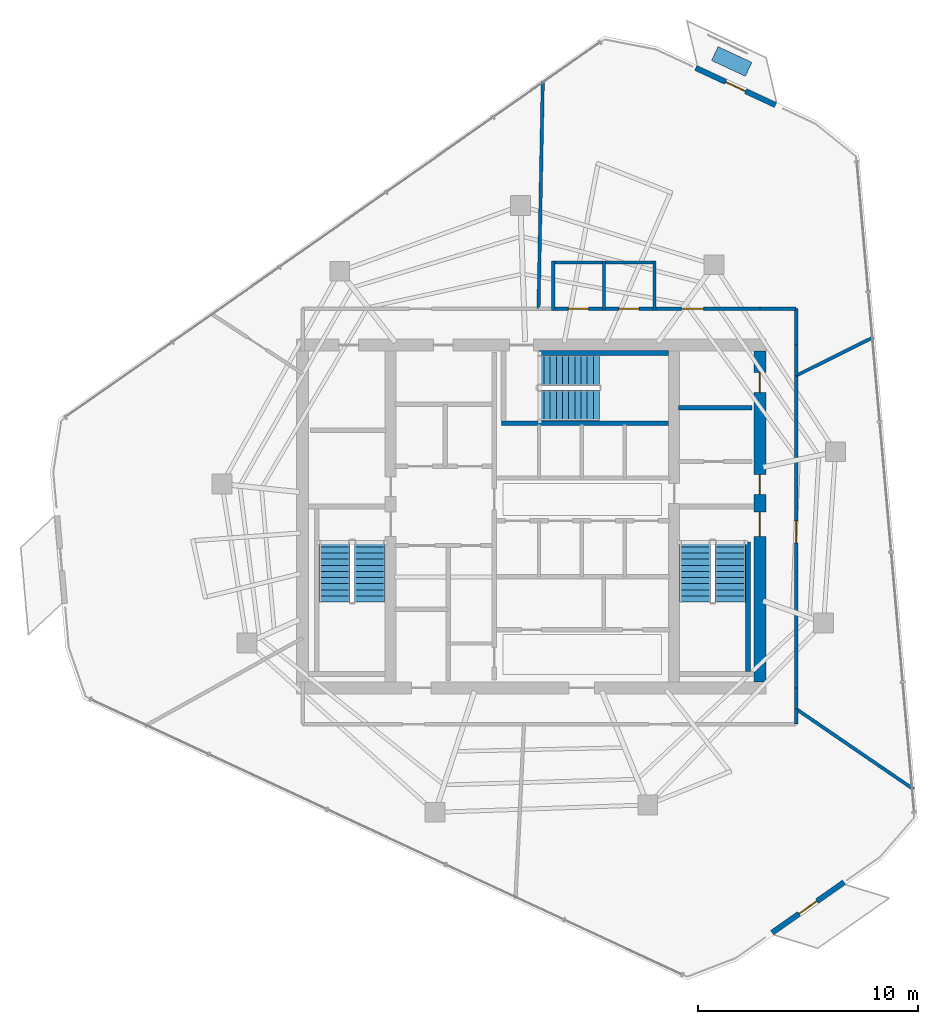
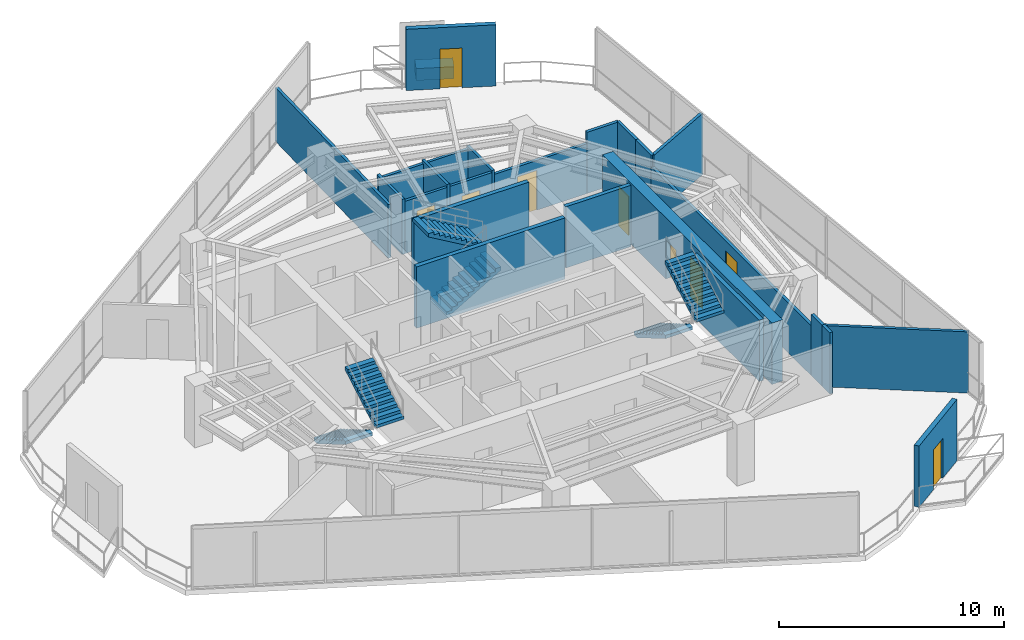
# One storey, part 18 of 20: 24 walls, 9 doors, 6 stair flights, 1 discrete accessory, 9 openings, 3 elements without a shape of their own.
"""IFC4 building model written with IfcOpenShell, lengths in metres."""

from ifc_helpers import new_model, si_unit, direction, frame, frame_2d, origin, origin_2d, place, context, subcontext, project, spatial, polyline, rectangle, outline, extrude, material, layer, layer_set, type_object, element, fill, aggregate, save


model = new_model("IFC4")

# Units and contexts
model_context = context("Model", 3, precision=1e-05, world=origin(), true_north=direction((0.0, 1.0)))
body_context = subcontext(model_context, "Body", "Model", "MODEL_VIEW")
ifc_project = project(units=[si_unit("LENGTHUNIT", "METRE"), si_unit("AREAUNIT", "SQUARE_METRE"), si_unit("VOLUMEUNIT", "CUBIC_METRE"), si_unit("PLANEANGLEUNIT", "RADIAN"), si_unit("MASSUNIT", "GRAM", prefix="KILO")], contexts=[model_context])

# Site, building, storey
site_placement = place(None, origin())
site = spatial("IfcSite", under=ifc_project, at=site_placement, CompositionType="ELEMENT")
building_placement = place(site_placement, origin())
building = spatial("IfcBuilding", under=site, at=building_placement, Name="Qarnah Convention Tower", CompositionType="ELEMENT")
storey_placement = place(building_placement, frame((0.0, 0.0, 198.60009765625)))
storey = spatial("IfcBuildingStorey", under=building, at=storey_placement, Name="L53", CompositionType="ELEMENT", Elevation=198.60009765625)

# Wall, openings, doors
ifc_material_1 = material(Name="Concrete C60/75", Category="concrete")
ifc_layer_1 = layer(ifc_material_1, 0.550048828125)
ifc_layer_set_1 = layer_set([ifc_layer_1], Name="Concrete C60/75")
wall_type_1 = type_object("IfcWallType", Name="WL-CORE-550", PredefinedType="SHEAR", material=ifc_layer_set_1)
wall_1_placement = place(storey_placement, frame((47.60009765625, 18.875, 0.0), z_axis=(0.0, 0.0, 1.0), x_axis=(0.0, 1.0, 0.0)))
wall_1 = element("IfcWall", 1, at=wall_1_placement, inside=storey, type_object=wall_type_1, Name="L53 core east shear wall", PredefinedType="SHEAR", context=body_context, shape_type="SweptSolid", body=[
    extrude(rectangle(XDim=15.050048828125, YDim=0.550048828125, at=frame_2d((7.52490234375, 0.0))), origin(), (0.0, 0.0, 1.0), 3.31982421875),
])
opening_1_placement = place(wall_1_placement, frame((6.625, 0.0, 0.0)))
opening_1 = element("IfcOpeningElement", 2, at=opening_1_placement, cuts=wall_1, Name="Opening D-5302", PredefinedType="OPENING", context=body_context, shape_type="SweptSolid", body=[
    extrude(rectangle(XDim=1.10009765625, YDim=2.14990234375, at=frame_2d((0.550048828125, 1.074951171875))), frame((0.0, 0.284912109375, 0.0), z_axis=(0.0, -1.0, 0.0), x_axis=(1.0, 0.0, 0.0)), (0.0, 0.0, 1.0), 0.570068359375),
])
opening_2_placement = place(wall_1_placement, frame((8.52490234375, 0.0, 0.0)))
opening_2 = element("IfcOpeningElement", 3, at=opening_2_placement, cuts=wall_1, Name="Opening D-5306", PredefinedType="OPENING", context=body_context, shape_type="SweptSolid", body=[
    extrude(rectangle(XDim=0.89990234375, YDim=2.10009765625, at=frame_2d((0.449951171875, 1.050048828125))), frame((0.0, 0.284912109375, 0.0), z_axis=(0.0, -1.0, 0.0), x_axis=(1.0, 0.0, 0.0)), (0.0, 0.0, 1.0), 0.570068359375),
])
opening_3_placement = place(wall_1_placement, frame((13.175048828125, 0.0, 0.0)))
opening_3 = element("IfcOpeningElement", 4, at=opening_3_placement, cuts=wall_1, Name="Opening D-5312", PredefinedType="OPENING", context=body_context, shape_type="SweptSolid", body=[
    extrude(rectangle(XDim=0.89990234375, YDim=2.10009765625, at=frame_2d((0.449951171875, 1.050048828125))), frame((0.0, 0.284912109375, 0.0), z_axis=(0.0, -1.0, 0.0), x_axis=(1.0, 0.0, 0.0)), (0.0, 0.0, 1.0), 0.570068359375),
])
ifc_material_2 = material(Name="Structural steel S355JR", Category="steel")
door_type_1 = type_object("IfcDoorType", Name="DT-RISER-900", OperationType="NOTDEFINED", PredefinedType="DOOR", material=ifc_material_2)
door_1_placement = place(opening_2_placement, origin())
door_1 = element("IfcDoor", 5, at=door_1_placement, inside=storey, type_object=door_type_1, Name="Door D-5306", OperationType="SINGLE_SWING_LEFT", OverallHeight=2.10009765625, OverallWidth=0.89990234375, PredefinedType="DOOR", context=body_context, shape_type="SweptSolid", body=[
    extrude(rectangle(XDim=0.89990234375, YDim=2.10009765625, at=frame_2d((0.449951171875, 1.050048828125))), frame((0.0, 0.02490234375, 0.0), z_axis=(0.0, -1.0, 0.0), x_axis=(1.0, 0.0, 0.0)), (0.0, 0.0, 1.0), 0.050048828125),
])
fill(opening_2, door_1)
door_2_placement = place(opening_3_placement, origin())
door_2 = element("IfcDoor", 6, at=door_2_placement, inside=storey, type_object=door_type_1, Name="Door D-5312", OperationType="SINGLE_SWING_LEFT", OverallHeight=2.10009765625, OverallWidth=0.89990234375, PredefinedType="DOOR", context=body_context, shape_type="SweptSolid", body=[
    extrude(rectangle(XDim=0.89990234375, YDim=2.10009765625, at=frame_2d((0.449951171875, 1.050048828125))), frame((0.0, 0.02490234375, 0.0), z_axis=(0.0, -1.0, 0.0), x_axis=(1.0, 0.0, 0.0)), (0.0, 0.0, 1.0), 0.050048828125),
])
fill(opening_3, door_2)
door_type_2 = type_object("IfcDoorType", Name="DT-STAIR-1100", OperationType="NOTDEFINED", PredefinedType="DOOR", material=ifc_material_2)
door_3_placement = place(opening_1_placement, origin())
door_3 = element("IfcDoor", 7, at=door_3_placement, inside=storey, type_object=door_type_2, Name="Door D-5302", OperationType="SINGLE_SWING_LEFT", OverallHeight=2.14990234375, OverallWidth=1.10009765625, PredefinedType="DOOR", context=body_context, shape_type="SweptSolid", body=[
    extrude(rectangle(XDim=1.10009765625, YDim=2.14990234375, at=frame_2d((0.550048828125, 1.074951171875))), frame((0.0, 0.02490234375, 0.0), z_axis=(0.0, -1.0, 0.0), x_axis=(1.0, 0.0, 0.0)), (0.0, 0.0, 1.0), 0.050048828125),
])
fill(opening_1, door_3)

# Walls
ifc_material_3 = material(Name="Concrete C45/55", Category="concrete")
ifc_layer_2 = layer(ifc_material_3, 0.199951171875)
ifc_layer_set_2 = layer_set([ifc_layer_2], Name="Concrete C45/55")
wall_type_2 = type_object("IfcWallType", Name="WL-CORE-PART-200", PredefinedType="SOLIDWALL", material=ifc_layer_set_2)
wall_2_placement = place(storey_placement, frame((43.89990234375, 31.35009765625, 0.0), z_axis=(0.0, 0.0, 1.0), x_axis=(1.0, 0.0, 0.0)))
element("IfcWall", 8, at=wall_2_placement, inside=storey, type_object=wall_type_2, Name="L53 interior wall IW-L53-WTRN", PredefinedType="SOLIDWALL", context=body_context, shape_type="SweptSolid", body=[
    extrude(rectangle(XDim=3.35009765625, YDim=0.199951171875, at=frame_2d((1.675048828125, 0.0))), origin(), (0.0, 0.0, 1.0), 3.31982421875),
])
ifc_layer_3 = layer(ifc_material_1, 0.219970703125)
ifc_layer_set_3 = layer_set([ifc_layer_3], Name="Concrete C60/75")
wall_type_3 = type_object("IfcWallType", Name="WL-CORE-STAIR-220", PredefinedType="SHEAR", material=ifc_layer_set_3)
wall_3_placement = place(storey_placement, frame((47.06005859375, 19.35009765625, 0.0), z_axis=(0.0, 0.0, 1.0), x_axis=(0.0, 1.0, 0.0)))
element("IfcWall", 9, at=wall_3_placement, inside=storey, type_object=wall_type_3, Name="L53 stair shaft shear wall SW-L53-ST2E", PredefinedType="SHEAR", context=body_context, shape_type="SweptSolid", body=[
    extrude(rectangle(XDim=5.89990234375, YDim=0.219970703125, at=frame_2d((2.949951171875, 0.0))), origin(), (0.0, 0.0, 1.0), 3.31982421875),
])
wall_4_placement = place(storey_placement, frame((35.840087890625, 30.639892578125, 0.0), z_axis=(0.0, 0.0, 1.0), x_axis=(1.0, 0.0, 0.0)))
element("IfcWall", 10, at=wall_4_placement, inside=storey, type_object=wall_type_3, Name="L53 stair shaft shear wall SW-L53-ST3S", PredefinedType="SHEAR", context=body_context, shape_type="SweptSolid", body=[
    extrude(rectangle(XDim=7.60986328125, YDim=0.219970703125, at=frame_2d((3.804931640625, 0.0))), origin(), (0.0, 0.0, 1.0), 3.31982421875),
])
wall_5_placement = place(storey_placement, frame((37.550048828125, 33.840087890625, 0.0), z_axis=(0.0, 0.0, 1.0), x_axis=(1.0, 0.0, 0.0)))
element("IfcWall", 11, at=wall_5_placement, inside=storey, type_object=wall_type_3, Name="L53 stair shaft shear wall SW-L53-ST3N", PredefinedType="SHEAR", context=body_context, shape_type="SweptSolid", body=[
    extrude(rectangle(XDim=5.89990234375, YDim=0.219970703125, at=frame_2d((2.949951171875, 0.0))), origin(), (0.0, 0.0, 1.0), 3.31982421875),
])

# Wall, opening, door
ifc_material_4 = material(Name="Precast concrete C45/55", Category="concrete")
ifc_layer_4 = layer(ifc_material_4, 0.239990234375)
ifc_layer_set_4 = layer_set([ifc_layer_4], Name="Precast concrete C45/55")
wall_type_4 = type_object("IfcWallType", Name="WL-EXT-BAL-240", PredefinedType="SOLIDWALL", material=ifc_layer_set_4)
wall_6_placement = place(storey_placement, frame((44.68408203125, 46.800048828125, 0.0), z_axis=(0.0, 0.0, 1.0), x_axis=(0.906578839743, -0.422036499999, 0.0)))
wall_6 = element("IfcWall", 12, at=wall_6_placement, inside=storey, type_object=wall_type_4, Name="L53 loggia threshold wall BAL-L53-C1", PredefinedType="SOLIDWALL", context=body_context, shape_type="SweptSolid", body=[
    extrude(rectangle(XDim=3.99951171875, YDim=0.239990234375, at=frame_2d((1.999755859375, 0.0))), origin(), (0.0, 0.0, 1.0), 3.31982421875),
])
opening_4_placement = place(wall_6_placement, frame((1.5, 0.0, 0.0)))
opening_4 = element("IfcOpeningElement", 13, at=opening_4_placement, cuts=wall_6, Name="Opening BD-5301", PredefinedType="OPENING", context=body_context, shape_type="SweptSolid", body=[
    extrude(rectangle(XDim=1.0, YDim=2.14990234375, at=frame_2d((0.5, 1.074951171875))), frame((0.0, 0.1298828125, 0.0), z_axis=(0.0, -1.0, 0.0), x_axis=(1.0, 0.0, 0.0)), (0.0, 0.0, 1.0), 0.260009765625),
])
ifc_material_5 = material(Name="Black anodised aluminium", Category="aluminium")
door_type_3 = type_object("IfcDoorType", Name="DT-BAL-1000", OperationType="NOTDEFINED", PredefinedType="DOOR", material=ifc_material_5)
door_4_placement = place(opening_4_placement, origin())
door_4 = element("IfcDoor", 14, at=door_4_placement, inside=storey, type_object=door_type_3, Name="L53 balcony terrace door BAL-L53-C1", OperationType="SINGLE_SWING_RIGHT", OverallHeight=2.14990234375, OverallWidth=1.0, PredefinedType="DOOR", context=body_context, shape_type="SweptSolid", body=[
    extrude(rectangle(XDim=1.0, YDim=2.14990234375, at=frame_2d((0.5, 1.074951171875))), frame((0.0, 0.02490234375, 0.0), z_axis=(0.0, -1.0, 0.0), x_axis=(1.0, 0.0, 0.0)), (0.0, 0.0, 1.0), 0.050048828125),
])
fill(opening_4, door_4)

wall_7_placement = place(storey_placement, frame((51.427978515625, 9.76611328125, 0.0), z_axis=(0.0, 0.0, 1.0), x_axis=(-0.818681027689, -0.574248530605, 0.0)))
wall_7 = element("IfcWall", 15, at=wall_7_placement, inside=storey, type_object=wall_type_4, Name="L53 loggia threshold wall BAL-L53-C3", PredefinedType="SOLIDWALL", context=body_context, shape_type="SweptSolid", body=[
    extrude(rectangle(XDim=4.000244140625, YDim=0.239990234375, at=frame_2d((2.0, 0.0))), origin(), (0.0, 0.0, 1.0), 3.31982421875),
])
opening_5_placement = place(wall_7_placement, frame((1.5, 0.0, 0.0)))
opening_5 = element("IfcOpeningElement", 16, at=opening_5_placement, cuts=wall_7, Name="Opening BD-5303", PredefinedType="OPENING", context=body_context, shape_type="SweptSolid", body=[
    extrude(rectangle(XDim=1.0, YDim=2.14990234375, at=frame_2d((0.5, 1.074951171875))), frame((0.0, 0.1298828125, 0.0), z_axis=(0.0, -1.0, 0.0), x_axis=(1.0, 0.0, 0.0)), (0.0, 0.0, 1.0), 0.260009765625),
])
door_5_placement = place(opening_5_placement, origin())
door_5 = element("IfcDoor", 17, at=door_5_placement, inside=storey, type_object=door_type_3, Name="L53 balcony terrace door BAL-L53-C3", OperationType="SINGLE_SWING_RIGHT", OverallHeight=2.14990234375, OverallWidth=1.0, PredefinedType="DOOR", context=body_context, shape_type="SweptSolid", body=[
    extrude(rectangle(XDim=1.0, YDim=2.14990234375, at=frame_2d((0.5, 1.074951171875))), frame((0.0, 0.02490234375, 0.0), z_axis=(0.0, -1.0, 0.0), x_axis=(1.0, 0.0, 0.0)), (0.0, 0.0, 1.0), 0.050048828125),
])
fill(opening_5, door_5)

# Wall
ifc_material_6 = material(Name="Gypsum partition board")
ifc_layer_5 = layer(ifc_material_6, 0.14990234375)
ifc_layer_set_5 = layer_set([ifc_layer_5], Name="Gypsum partition board")
wall_type_5 = type_object("IfcWallType", Name="WL-SUITE-150", PredefinedType="PARTITIONING", material=ifc_layer_set_5)
wall_8_placement = place(storey_placement, frame((37.72412109375, 46.215087890625, 0.0), z_axis=(0.0, 0.0, 1.0), x_axis=(-0.018722427332, -0.999824719996, 0.0)))
element("IfcWall", 18, at=wall_8_placement, inside=storey, type_object=wall_type_5, Name="L53 interior wall IW-L53-R-08", PredefinedType="PARTITIONING", context=body_context, shape_type="SweptSolid", body=[
    extrude(rectangle(XDim=10.36669921875, YDim=0.14990234375, at=frame_2d((5.183349609375, 0.0))), origin(), (0.0, 0.0, 1.0), 2.90478515625),
])

# Wall, opening, door
wall_9_placement = place(storey_placement, frame((42.8701171875, 35.85009765625, 0.0), z_axis=(0.0, 0.0, 1.0), x_axis=(1.0, 0.0, 0.0)))
wall_9 = element("IfcWall", 19, at=wall_9_placement, inside=storey, type_object=wall_type_5, Name="L53 interior wall IW-L53-R-10", PredefinedType="PARTITIONING", context=body_context, shape_type="SweptSolid", body=[
    extrude(rectangle(XDim=4.72998046875, YDim=0.14990234375, at=frame_2d((2.364990234375, 0.0))), origin(), (0.0, 0.0, 1.0), 2.697021484375),
])
opening_6_placement = place(wall_9_placement, frame((1.1689453125, 0.0, 0.0)))
opening_6 = element("IfcOpeningElement", 20, at=opening_6_placement, cuts=wall_9, Name="Opening D-5320", PredefinedType="OPENING", context=body_context, shape_type="SweptSolid", body=[
    extrude(rectangle(XDim=1.0, YDim=2.14990234375, at=frame_2d((0.5, 1.074951171875))), frame((0.0, 0.0849609375, 0.0), z_axis=(0.0, -1.0, 0.0), x_axis=(1.0, 0.0, 0.0)), (0.0, 0.0, 1.0), 0.169921875),
])
ifc_material_7 = material(Name="Oak timber veneer", Category="wood")
door_type_4 = type_object("IfcDoorType", Name="DT-OFFICE-1000", OperationType="NOTDEFINED", PredefinedType="DOOR", material=ifc_material_7)
door_6_placement = place(opening_6_placement, origin())
door_6 = element("IfcDoor", 21, at=door_6_placement, inside=storey, type_object=door_type_4, Name="Door D-5320", OperationType="SINGLE_SWING_LEFT", OverallHeight=2.14990234375, OverallWidth=1.0, PredefinedType="DOOR", context=body_context, shape_type="SweptSolid", body=[
    extrude(rectangle(XDim=1.0, YDim=2.14990234375, at=frame_2d((0.5, 1.074951171875))), frame((0.0, 0.02490234375, 0.0), z_axis=(0.0, -1.0, 0.0), x_axis=(1.0, 0.0, 0.0)), (0.0, 0.0, 1.0), 0.050048828125),
])
fill(opening_6, door_6)

# Walls
wall_10_placement = place(storey_placement, frame((47.60009765625, 35.85009765625, 0.0), z_axis=(0.0, 0.0, 1.0), x_axis=(1.0, 0.0, 0.0)))
element("IfcWall", 22, at=wall_10_placement, inside=storey, type_object=wall_type_5, Name="L53 interior wall IW-L53-R-11", PredefinedType="PARTITIONING", context=body_context, shape_type="SweptSolid", body=[
    extrude(rectangle(XDim=1.64990234375, YDim=0.14990234375, at=frame_2d((0.824951171875, 0.0))), origin(), (0.0, 0.0, 1.0), 3.31982421875),
])
wall_11_placement = place(storey_placement, frame((49.25, 35.85009765625, 0.0), z_axis=(0.0, 0.0, 1.0), x_axis=(0.0, -1.0, 0.0)))
element("IfcWall", 23, at=wall_11_placement, inside=storey, type_object=wall_type_5, Name="L53 interior wall IW-L53-R-12", PredefinedType="PARTITIONING", context=body_context, shape_type="SweptSolid", body=[
    extrude(rectangle(XDim=1.650146484375, YDim=0.14990234375, at=frame_2d((0.8251953125, 0.0))), origin(), (0.0, 0.0, 1.0), 3.31982421875),
])
wall_12_placement = place(storey_placement, frame((49.25, 34.199951171875, 0.0), z_axis=(0.0, 0.0, 1.0), x_axis=(0.0, -1.0, 0.0)))
element("IfcWall", 24, at=wall_12_placement, inside=storey, type_object=wall_type_5, Name="L53 interior wall IW-L53-R-13", PredefinedType="PARTITIONING", context=body_context, shape_type="SweptSolid", body=[
    extrude(rectangle(XDim=1.39306640625, YDim=0.14990234375, at=frame_2d((0.696533203125, 0.0))), origin(), (0.0, 0.0, 1.0), 3.31982421875),
])
wall_13_placement = place(storey_placement, frame((49.25, 32.806884765625, 0.0), z_axis=(0.0, 0.0, 1.0), x_axis=(0.895681057635, 0.44469702382, 0.0)))
element("IfcWall", 25, at=wall_13_placement, inside=storey, type_object=wall_type_5, Name="L53 interior wall IW-L53-R-14", PredefinedType="PARTITIONING", context=body_context, shape_type="SweptSolid", body=[
    extrude(rectangle(XDim=3.922119140625, YDim=0.14990234375, at=frame_2d((1.9609375, 0.0))), origin(), (0.0, 0.0, 1.0), 3.31982421875),
])
wall_14_placement = place(storey_placement, frame((54.589111328125, 13.991943359375, 0.0), z_axis=(0.0, 0.0, 1.0), x_axis=(-0.82530726125, 0.564683915592, 0.0)))
element("IfcWall", 26, at=wall_14_placement, inside=storey, type_object=wall_type_5, Name="L53 interior wall IW-L53-R-22", PredefinedType="PARTITIONING", context=body_context, shape_type="SweptSolid", body=[
    extrude(rectangle(XDim=6.46923828125, YDim=0.14990234375, at=frame_2d((3.234619140625, 0.0))), origin(), (0.0, 0.0, 1.0), 3.31982421875),
])
wall_15_placement = place(storey_placement, frame((49.25, 17.64501953125, 0.0), z_axis=(0.0, 0.0, 1.0), x_axis=(0.0, -1.0, 0.0)))
element("IfcWall", 27, at=wall_15_placement, inside=storey, type_object=wall_type_5, Name="L53 interior wall IW-L53-R-23", PredefinedType="PARTITIONING", context=body_context, shape_type="SweptSolid", body=[
    extrude(rectangle(XDim=0.695068359375, YDim=0.14990234375, at=frame_2d((0.34765625, 0.0))), origin(), (0.0, 0.0, 1.0), 3.31982421875),
])

# Wall, opening, door
wall_16_placement = place(storey_placement, frame((49.25, 32.806884765625, 0.0), z_axis=(0.0, 0.0, 1.0), x_axis=(0.0, -1.0, 0.0)))
wall_16 = element("IfcWall", 28, at=wall_16_placement, inside=storey, type_object=wall_type_5, Name="L53 interior wall IW-L53-R-25", PredefinedType="PARTITIONING", context=body_context, shape_type="SweptSolid", body=[
    extrude(rectangle(XDim=14.206787109375, YDim=0.14990234375, at=frame_2d((7.103515625, 0.0))), origin(), (0.0, 0.0, 1.0), 2.697021484375),
])
opening_7_placement = place(wall_16_placement, frame((6.60400390625, 0.0, 0.0)))
opening_7 = element("IfcOpeningElement", 29, at=opening_7_placement, cuts=wall_16, Name="Opening D-5325", PredefinedType="OPENING", context=body_context, shape_type="SweptSolid", body=[
    extrude(rectangle(XDim=1.0, YDim=2.14990234375, at=frame_2d((0.5, 1.074951171875))), frame((0.0, 0.0849609375, 0.0), z_axis=(0.0, -1.0, 0.0), x_axis=(1.0, 0.0, 0.0)), (0.0, 0.0, 1.0), 0.169921875),
])
door_7_placement = place(opening_7_placement, origin())
door_7 = element("IfcDoor", 30, at=door_7_placement, inside=storey, type_object=door_type_4, Name="Door D-5325", OperationType="SINGLE_SWING_RIGHT", OverallHeight=2.14990234375, OverallWidth=1.0, PredefinedType="DOOR", context=body_context, shape_type="SweptSolid", body=[
    extrude(rectangle(XDim=1.0, YDim=2.14990234375, at=frame_2d((0.5, 1.074951171875))), frame((0.0, 0.02490234375, 0.0), z_axis=(0.0, -1.0, 0.0), x_axis=(1.0, 0.0, 0.0)), (0.0, 0.0, 1.0), 0.050048828125),
])
fill(opening_7, door_7)

# Wall
wall_17_placement = place(storey_placement, frame((49.25, 18.60009765625, 0.0), z_axis=(0.0, 0.0, 1.0), x_axis=(0.0, -1.0, 0.0)))
element("IfcWall", 31, at=wall_17_placement, inside=storey, type_object=wall_type_5, Name="L53 interior wall IW-L53-R-26", PredefinedType="PARTITIONING", context=body_context, shape_type="SweptSolid", body=[
    extrude(rectangle(XDim=0.955078125, YDim=0.14990234375, at=frame_2d((0.4775390625, 0.0))), origin(), (0.0, 0.0, 1.0), 3.31982421875),
])

# Wall, opening, door
ifc_layer_6 = layer(ifc_material_6, 0.139892578125)
ifc_layer_set_6 = layer_set([ifc_layer_6], Name="Gypsum partition board")
wall_type_6 = type_object("IfcWallType", Name="WL-WET-140", PredefinedType="PARTITIONING", material=ifc_layer_set_6)
wall_18_placement = place(storey_placement, frame((38.1298828125, 35.85009765625, 0.0), z_axis=(0.0, 0.0, 1.0), x_axis=(1.0, 0.0, 0.0)))
wall_18 = element("IfcWall", 32, at=wall_18_placement, inside=storey, type_object=wall_type_6, Name="L53 interior wall IW-L53-WCM-1", PredefinedType="PARTITIONING", context=body_context, shape_type="SweptSolid", body=[
    extrude(rectangle(XDim=2.440185546875, YDim=0.139892578125, at=frame_2d((1.22021484375, 0.0))), origin(), (0.0, 0.0, 1.0), 2.8408203125),
])
opening_8_placement = place(wall_18_placement, frame((0.760009765625, 0.0, 0.0)))
opening_8 = element("IfcOpeningElement", 33, at=opening_8_placement, cuts=wall_18, Name="Opening D-5318", PredefinedType="OPENING", context=body_context, shape_type="SweptSolid", body=[
    extrude(rectangle(XDim=0.919921875, YDim=2.10009765625, at=frame_2d((0.4599609375, 1.050048828125))), frame((0.0, 0.079833984375, 0.0), z_axis=(0.0, -1.0, 0.0), x_axis=(1.0, 0.0, 0.0)), (0.0, 0.0, 1.0), 0.159912109375),
])
door_type_5 = type_object("IfcDoorType", Name="DT-WC-920", OperationType="NOTDEFINED", PredefinedType="DOOR", material=ifc_material_7)
door_8_placement = place(opening_8_placement, origin())
door_8 = element("IfcDoor", 34, at=door_8_placement, inside=storey, type_object=door_type_5, Name="Door D-5318", OperationType="SINGLE_SWING_LEFT", OverallHeight=2.10009765625, OverallWidth=0.919921875, PredefinedType="DOOR", context=body_context, shape_type="SweptSolid", body=[
    extrude(rectangle(XDim=0.919921875, YDim=2.10009765625, at=frame_2d((0.4599609375, 1.050048828125))), frame((0.0, 0.02490234375, 0.0), z_axis=(0.0, -1.0, 0.0), x_axis=(1.0, 0.0, 0.0)), (0.0, 0.0, 1.0), 0.050048828125),
])
fill(opening_8, door_8)

# Walls
wall_19_placement = place(storey_placement, frame((40.5, 35.780029296875, 0.0), z_axis=(0.0, 0.0, 1.0), x_axis=(0.0, 1.0, 0.0)))
element("IfcWall", 35, at=wall_19_placement, inside=storey, type_object=wall_type_6, Name="L53 interior wall IW-L53-WCM-2", PredefinedType="PARTITIONING", context=body_context, shape_type="SweptSolid", body=[
    extrude(rectangle(XDim=2.239990234375, YDim=0.139892578125, at=frame_2d((1.1201171875, 0.0))), origin(), (0.0, 0.0, 1.0), 2.992919921875),
])
wall_20_placement = place(storey_placement, frame((40.570068359375, 37.949951171875, 0.0), z_axis=(0.0, 0.0, 1.0), x_axis=(-1.0, 0.0, 0.0)))
element("IfcWall", 36, at=wall_20_placement, inside=storey, type_object=wall_type_6, Name="L53 interior wall IW-L53-WCM-3", PredefinedType="PARTITIONING", context=body_context, shape_type="SweptSolid", body=[
    extrude(rectangle(XDim=2.440185546875, YDim=0.139892578125, at=frame_2d((1.22021484375, 0.0))), origin(), (0.0, 0.0, 1.0), 2.8408203125),
])
wall_21_placement = place(storey_placement, frame((38.199951171875, 38.02001953125, 0.0), z_axis=(0.0, 0.0, 1.0), x_axis=(0.0, -1.0, 0.0)))
element("IfcWall", 37, at=wall_21_placement, inside=storey, type_object=wall_type_6, Name="L53 interior wall IW-L53-WCM-4", PredefinedType="PARTITIONING", context=body_context, shape_type="SweptSolid", body=[
    extrude(rectangle(XDim=2.239990234375, YDim=0.139892578125, at=frame_2d((1.1201171875, 0.0))), origin(), (0.0, 0.0, 1.0), 2.992919921875),
])

# Wall, opening, door
wall_22_placement = place(storey_placement, frame((40.429931640625, 35.85009765625, 0.0), z_axis=(0.0, 0.0, 1.0), x_axis=(1.0, 0.0, 0.0)))
wall_22 = element("IfcWall", 38, at=wall_22_placement, inside=storey, type_object=wall_type_6, Name="L53 interior wall IW-L53-WCF-1", PredefinedType="PARTITIONING", context=body_context, shape_type="SweptSolid", body=[
    extrude(rectangle(XDim=2.440185546875, YDim=0.139892578125, at=frame_2d((1.22021484375, 0.0))), origin(), (0.0, 0.0, 1.0), 2.8408203125),
])
opening_9_placement = place(wall_22_placement, frame((0.760009765625, 0.0, 0.0)))
opening_9 = element("IfcOpeningElement", 39, at=opening_9_placement, cuts=wall_22, Name="Opening D-5319", PredefinedType="OPENING", context=body_context, shape_type="SweptSolid", body=[
    extrude(rectangle(XDim=0.919921875, YDim=2.10009765625, at=frame_2d((0.4599609375, 1.050048828125))), frame((0.0, 0.079833984375, 0.0), z_axis=(0.0, -1.0, 0.0), x_axis=(1.0, 0.0, 0.0)), (0.0, 0.0, 1.0), 0.159912109375),
])
door_9_placement = place(opening_9_placement, origin())
door_9 = element("IfcDoor", 40, at=door_9_placement, inside=storey, type_object=door_type_5, Name="Door D-5319", OperationType="SINGLE_SWING_RIGHT", OverallHeight=2.10009765625, OverallWidth=0.919921875, PredefinedType="DOOR", context=body_context, shape_type="SweptSolid", body=[
    extrude(rectangle(XDim=0.919921875, YDim=2.10009765625, at=frame_2d((0.4599609375, 1.050048828125))), frame((0.0, 0.02490234375, 0.0), z_axis=(0.0, -1.0, 0.0), x_axis=(1.0, 0.0, 0.0)), (0.0, 0.0, 1.0), 0.050048828125),
])
fill(opening_9, door_9)

# Walls
wall_23_placement = place(storey_placement, frame((42.800048828125, 35.780029296875, 0.0), z_axis=(0.0, 0.0, 1.0), x_axis=(0.0, 1.0, 0.0)))
element("IfcWall", 41, at=wall_23_placement, inside=storey, type_object=wall_type_6, Name="L53 interior wall IW-L53-WCF-2", PredefinedType="PARTITIONING", context=body_context, shape_type="SweptSolid", body=[
    extrude(rectangle(XDim=2.239990234375, YDim=0.139892578125, at=frame_2d((1.1201171875, 0.0))), origin(), (0.0, 0.0, 1.0), 2.948974609375),
])
wall_24_placement = place(storey_placement, frame((42.8701171875, 37.949951171875, 0.0), z_axis=(0.0, 0.0, 1.0), x_axis=(-1.0, 0.0, 0.0)))
element("IfcWall", 42, at=wall_24_placement, inside=storey, type_object=wall_type_6, Name="L53 interior wall IW-L53-WCF-3", PredefinedType="PARTITIONING", context=body_context, shape_type="SweptSolid", body=[
    extrude(rectangle(XDim=2.440185546875, YDim=0.139892578125, at=frame_2d((1.22021484375, 0.0))), origin(), (0.0, 0.0, 1.0), 2.8408203125),
])

# Stair, stair flights
ifc_material_8 = material(Name="Concrete C50/60", Category="concrete")
stair_type = type_object("IfcStairType", Name="STR-OFF", PredefinedType="HALF_TURN_STAIR", material=ifc_material_8)
stair_1_placement = place(storey_placement, origin())
stair_1 = element("IfcStair", 43, at=stair_1_placement, inside=storey, type_object=stair_type, Name="L53 Core exit stair ST-1", PredefinedType="HALF_TURN_STAIR")
stair_flight_type = type_object("IfcStairFlightType", Name="FLT-OFF", PredefinedType="STRAIGHT", material=ifc_material_8)
stair_flight_1_placement = place(storey_placement, frame((28.25, 25.300048828125, 0.0), z_axis=(0.0, 0.0, 1.0), x_axis=(0.0, -1.0, 0.0)))
stair_flight_1 = element("IfcStairFlight", 44, at=stair_flight_1_placement, type_object=stair_flight_type, Name="ST-1 flight 1", NumberOfRisers=11, NumberOfTreads=10, PredefinedType="STRAIGHT", RiserHeight=0.163636364, TreadLength=0.28, context=body_context, shape_type="SweptSolid", body=[
    extrude(outline(polyline([(0.0, 0.0), (0.0, 0.16357421875), (0.280029296875, 0.16357421875), (0.280029296875, 0.327392578125), (0.56005859375, 0.327392578125), (0.56005859375, 0.490966796875), (0.840087890625, 0.490966796875), (0.840087890625, 0.654541015625), (1.1201171875, 0.654541015625), (1.1201171875, 0.818115234375), (1.39990234375, 0.818115234375), (1.39990234375, 0.98193359375), (1.679931640625, 0.98193359375), (1.679931640625, 1.1455078125), (1.9599609375, 1.1455078125), (1.9599609375, 1.30908203125), (2.239990234375, 1.30908203125), (2.239990234375, 1.47265625), (2.52001953125, 1.47265625), (2.52001953125, 1.636474609375), (2.800048828125, 1.636474609375), (2.800048828125, 1.800048828125), (2.800048828125, 1.462646484375), (0.297119140625, 0.0), (0.0, 0.0)])), frame((0.0, 0.699951171875, 0.0), z_axis=(0.0, -1.0, 0.0), x_axis=(1.0, 0.0, 0.0)), (0.0, 0.0, 1.0), 1.39990234375),
])
stair_flight_2_placement = place(storey_placement, frame((29.85009765625, 22.5, 1.7998046875), z_axis=(0.0, 0.0, 1.0), x_axis=(0.0, 1.0, 0.0)))
stair_flight_2 = element("IfcStairFlight", 45, at=stair_flight_2_placement, type_object=stair_flight_type, Name="ST-1 flight 2", NumberOfRisers=11, NumberOfTreads=10, PredefinedType="STRAIGHT", RiserHeight=0.163636364, TreadLength=0.28, context=body_context, shape_type="SweptSolid", body=[
    extrude(outline(polyline([(0.0, 0.0), (0.0, 0.16357421875), (0.280029296875, 0.16357421875), (0.280029296875, 0.327392578125), (0.56005859375, 0.327392578125), (0.56005859375, 0.490966796875), (0.840087890625, 0.490966796875), (0.840087890625, 0.654541015625), (1.1201171875, 0.654541015625), (1.1201171875, 0.818115234375), (1.39990234375, 0.818115234375), (1.39990234375, 0.98193359375), (1.679931640625, 0.98193359375), (1.679931640625, 1.1455078125), (1.9599609375, 1.1455078125), (1.9599609375, 1.30908203125), (2.239990234375, 1.30908203125), (2.239990234375, 1.47265625), (2.52001953125, 1.47265625), (2.52001953125, 1.636474609375), (2.800048828125, 1.636474609375), (2.800048828125, 1.800048828125), (2.800048828125, 1.462646484375), (0.297119140625, 0.0), (0.0, 0.0)])), frame((0.0, 0.699951171875, 0.0), z_axis=(0.0, -1.0, 0.0), x_axis=(1.0, 0.0, 0.0)), (0.0, 0.0, 1.0), 1.39990234375),
])
aggregate(stair_1, [stair_flight_1, stair_flight_2])

stair_2_placement = place(storey_placement, origin())
stair_2 = element("IfcStair", 46, at=stair_2_placement, inside=storey, type_object=stair_type, Name="L53 Core exit stair ST-2", PredefinedType="HALF_TURN_STAIR")
stair_flight_3_placement = place(storey_placement, frame((44.64990234375, 25.300048828125, 0.0), z_axis=(0.0, 0.0, 1.0), x_axis=(0.0, -1.0, 0.0)))
stair_flight_3 = element("IfcStairFlight", 47, at=stair_flight_3_placement, type_object=stair_flight_type, Name="ST-2 flight 1", NumberOfRisers=11, NumberOfTreads=10, PredefinedType="STRAIGHT", RiserHeight=0.163636364, TreadLength=0.28, context=body_context, shape_type="SweptSolid", body=[
    extrude(outline(polyline([(0.0, 0.0), (0.0, 0.16357421875), (0.280029296875, 0.16357421875), (0.280029296875, 0.327392578125), (0.56005859375, 0.327392578125), (0.56005859375, 0.490966796875), (0.840087890625, 0.490966796875), (0.840087890625, 0.654541015625), (1.1201171875, 0.654541015625), (1.1201171875, 0.818115234375), (1.39990234375, 0.818115234375), (1.39990234375, 0.98193359375), (1.679931640625, 0.98193359375), (1.679931640625, 1.1455078125), (1.9599609375, 1.1455078125), (1.9599609375, 1.30908203125), (2.239990234375, 1.30908203125), (2.239990234375, 1.47265625), (2.52001953125, 1.47265625), (2.52001953125, 1.636474609375), (2.800048828125, 1.636474609375), (2.800048828125, 1.800048828125), (2.800048828125, 1.462646484375), (0.297119140625, 0.0), (0.0, 0.0)])), frame((0.0, 0.699951171875, 0.0), z_axis=(0.0, -1.0, 0.0), x_axis=(1.0, 0.0, 0.0)), (0.0, 0.0, 1.0), 1.39990234375),
])
stair_flight_4_placement = place(storey_placement, frame((46.25, 22.5, 1.7998046875), z_axis=(0.0, 0.0, 1.0), x_axis=(0.0, 1.0, 0.0)))
stair_flight_4 = element("IfcStairFlight", 48, at=stair_flight_4_placement, type_object=stair_flight_type, Name="ST-2 flight 2", NumberOfRisers=11, NumberOfTreads=10, PredefinedType="STRAIGHT", RiserHeight=0.163636364, TreadLength=0.28, context=body_context, shape_type="SweptSolid", body=[
    extrude(outline(polyline([(0.0, 0.0), (0.0, 0.16357421875), (0.280029296875, 0.16357421875), (0.280029296875, 0.327392578125), (0.56005859375, 0.327392578125), (0.56005859375, 0.490966796875), (0.840087890625, 0.490966796875), (0.840087890625, 0.654541015625), (1.1201171875, 0.654541015625), (1.1201171875, 0.818115234375), (1.39990234375, 0.818115234375), (1.39990234375, 0.98193359375), (1.679931640625, 0.98193359375), (1.679931640625, 1.1455078125), (1.9599609375, 1.1455078125), (1.9599609375, 1.30908203125), (2.239990234375, 1.30908203125), (2.239990234375, 1.47265625), (2.52001953125, 1.47265625), (2.52001953125, 1.636474609375), (2.800048828125, 1.636474609375), (2.800048828125, 1.800048828125), (2.800048828125, 1.462646484375), (0.297119140625, 0.0), (0.0, 0.0)])), frame((0.0, 0.699951171875, 0.0), z_axis=(0.0, -1.0, 0.0), x_axis=(1.0, 0.0, 0.0)), (0.0, 0.0, 1.0), 1.39990234375),
])
aggregate(stair_2, [stair_flight_3, stair_flight_4])

stair_3_placement = place(storey_placement, origin())
stair_3 = element("IfcStair", 49, at=stair_3_placement, inside=storey, type_object=stair_type, Name="L53 Core exit stair ST-3", PredefinedType="HALF_TURN_STAIR")
stair_flight_5_placement = place(storey_placement, frame((37.5, 31.449951171875, 0.0), z_axis=(0.0, 0.0, 1.0), x_axis=(1.0, 0.0, 0.0)))
stair_flight_5 = element("IfcStairFlight", 50, at=stair_flight_5_placement, type_object=stair_flight_type, Name="ST-3 flight 1", NumberOfRisers=11, NumberOfTreads=10, PredefinedType="STRAIGHT", RiserHeight=0.163636364, TreadLength=0.28, context=body_context, shape_type="SweptSolid", body=[
    extrude(outline(polyline([(0.0, 0.0), (0.0, 0.16357421875), (0.280029296875, 0.16357421875), (0.280029296875, 0.327392578125), (0.56005859375, 0.327392578125), (0.56005859375, 0.490966796875), (0.840087890625, 0.490966796875), (0.840087890625, 0.654541015625), (1.1201171875, 0.654541015625), (1.1201171875, 0.818115234375), (1.39990234375, 0.818115234375), (1.39990234375, 0.98193359375), (1.679931640625, 0.98193359375), (1.679931640625, 1.1455078125), (1.9599609375, 1.1455078125), (1.9599609375, 1.30908203125), (2.239990234375, 1.30908203125), (2.239990234375, 1.47265625), (2.52001953125, 1.47265625), (2.52001953125, 1.636474609375), (2.800048828125, 1.636474609375), (2.800048828125, 1.800048828125), (2.800048828125, 1.462646484375), (0.297119140625, 0.0), (0.0, 0.0)])), frame((0.0, 0.699951171875, 0.0), z_axis=(0.0, -1.0, 0.0), x_axis=(1.0, 0.0, 0.0)), (0.0, 0.0, 1.0), 1.39990234375),
])
stair_flight_6_placement = place(storey_placement, frame((40.300048828125, 33.050048828125, 1.7998046875), z_axis=(0.0, 0.0, 1.0), x_axis=(-1.0, 0.0, 0.0)))
stair_flight_6 = element("IfcStairFlight", 51, at=stair_flight_6_placement, type_object=stair_flight_type, Name="ST-3 flight 2", NumberOfRisers=11, NumberOfTreads=10, PredefinedType="STRAIGHT", RiserHeight=0.163636364, TreadLength=0.28, context=body_context, shape_type="SweptSolid", body=[
    extrude(outline(polyline([(0.0, 0.0), (0.0, 0.16357421875), (0.280029296875, 0.16357421875), (0.280029296875, 0.327392578125), (0.56005859375, 0.327392578125), (0.56005859375, 0.490966796875), (0.840087890625, 0.490966796875), (0.840087890625, 0.654541015625), (1.1201171875, 0.654541015625), (1.1201171875, 0.818115234375), (1.39990234375, 0.818115234375), (1.39990234375, 0.98193359375), (1.679931640625, 0.98193359375), (1.679931640625, 1.1455078125), (1.9599609375, 1.1455078125), (1.9599609375, 1.30908203125), (2.239990234375, 1.30908203125), (2.239990234375, 1.47265625), (2.52001953125, 1.47265625), (2.52001953125, 1.636474609375), (2.800048828125, 1.636474609375), (2.800048828125, 1.800048828125), (2.800048828125, 1.462646484375), (0.297119140625, 0.0), (0.0, 0.0)])), frame((0.0, 0.699951171875, 0.0), z_axis=(0.0, -1.0, 0.0), x_axis=(1.0, 0.0, 0.0)), (0.0, 0.0, 1.0), 1.39990234375),
])
aggregate(stair_3, [stair_flight_5, stair_flight_6])

# Discrete accessory
discrete_accessory_type = type_object("IfcDiscreteAccessoryType", Name="ACC-PLANTER-900", PredefinedType="USERDEFINED", material=ifc_material_4)
discrete_accessory_placement = place(storey_placement, frame((46.318115234375, 47.097900390625, 0.0), z_axis=(0.0, 0.0, 1.0), x_axis=(-0.906602609357, 0.421985436606, 0.0)))
element("IfcDiscreteAccessory", 52, at=discrete_accessory_placement, inside=storey, type_object=discrete_accessory_type, Name="L53 irrigated desert balcony PLANTER BAL-L53-C1", ObjectType="PLANTER", PredefinedType="USERDEFINED", context=body_context, shape_type="SweptSolid", body=[
    extrude(rectangle(XDim=1.699951171875, YDim=0.699951171875, at=origin_2d()), origin(), (0.0, 0.0, 1.0), 0.64990234375),
])

save(model, "model.ifc")
